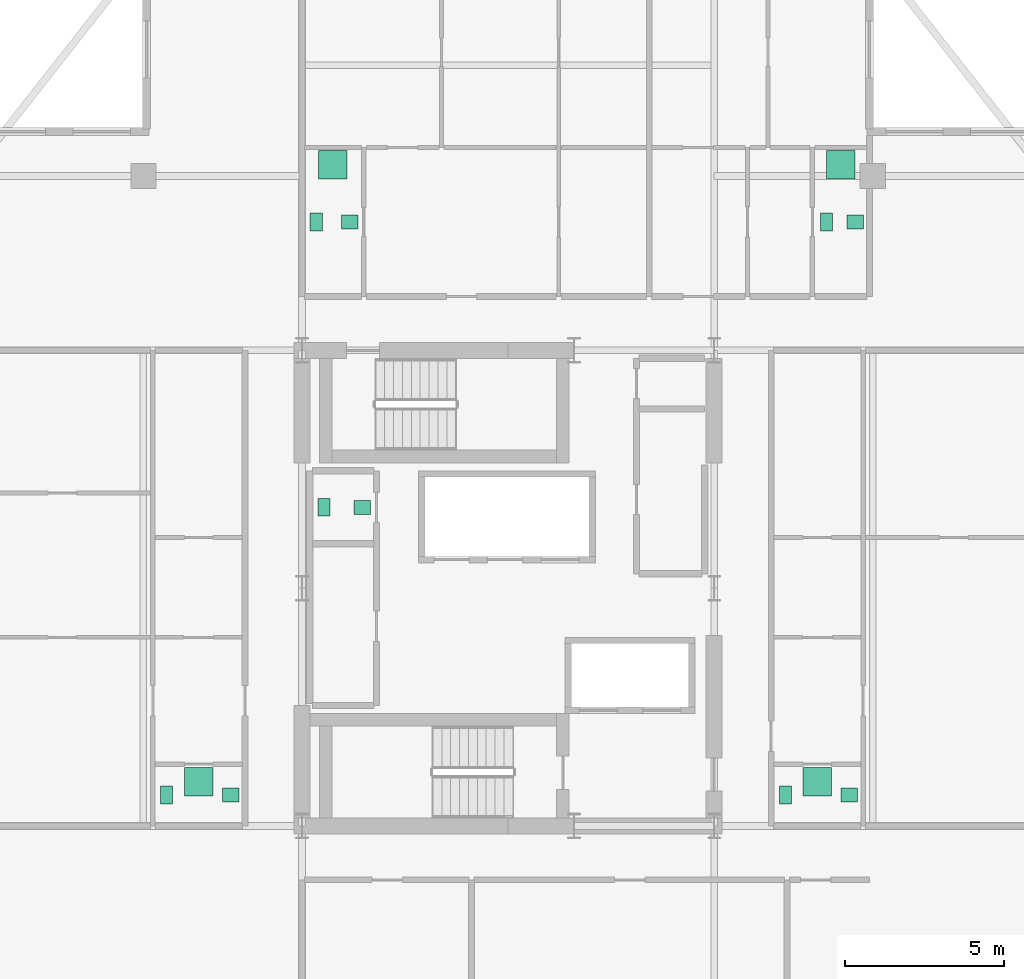
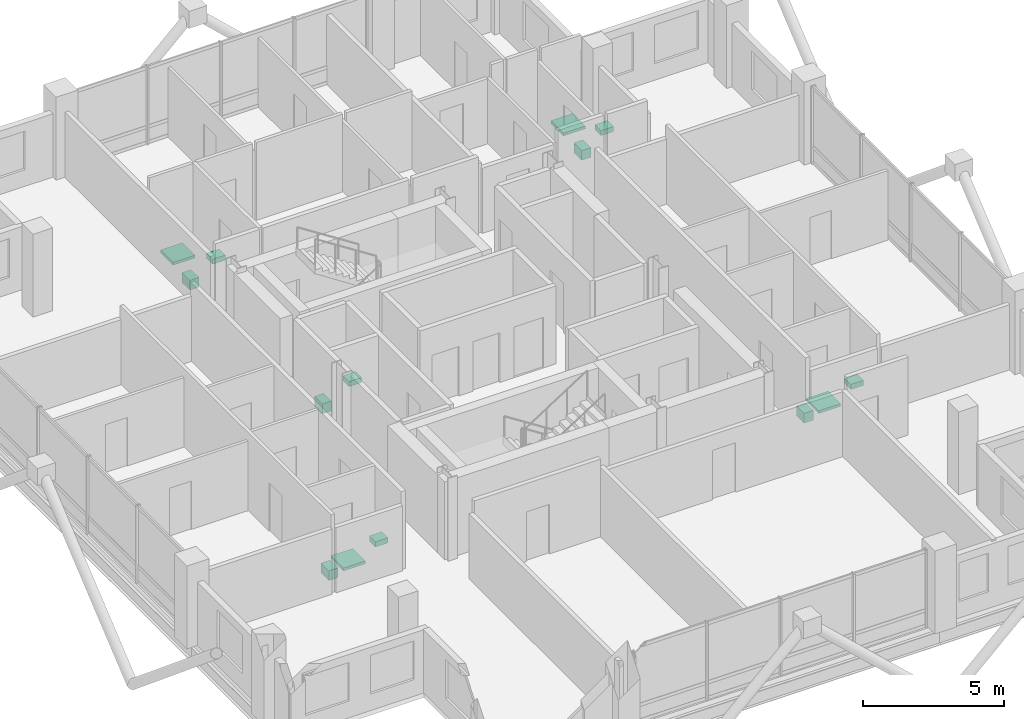
# One storey, part 23 of 23: 14 sanitary terminals.
"""IFC4 building model written with IfcOpenShell, lengths in metres."""

from ifc_helpers import new_model, si_unit, direction, frame, origin, origin_2d, place, context, subcontext, project, spatial, rectangle, extrude, material, type_object, element, save


model = new_model("IFC4")

# Units and contexts
model_context = context("Model", 3, precision=1e-05, world=origin(), true_north=direction((0.0, 1.0)))
body_context = subcontext(model_context, "Body", "Model", "MODEL_VIEW")
ifc_project = project(units=[si_unit("LENGTHUNIT", "METRE"), si_unit("AREAUNIT", "SQUARE_METRE"), si_unit("VOLUMEUNIT", "CUBIC_METRE"), si_unit("PLANEANGLEUNIT", "RADIAN"), si_unit("MASSUNIT", "GRAM", prefix="KILO")], contexts=[model_context])

# Site, building, storey
site_placement = place(None, origin())
site = spatial("IfcSite", under=ifc_project, at=site_placement, CompositionType="ELEMENT")
building_placement = place(site_placement, origin())
building = spatial("IfcBuilding", under=site, at=building_placement, Name="Barlavira Tower and Art Museum", CompositionType="ELEMENT")
storey_placement = place(building_placement, frame((0.0, 0.0, 247.5)))
storey = spatial("IfcBuildingStorey", under=building, at=storey_placement, Name="L64", CompositionType="ELEMENT", Elevation=247.5)

# Sanitary terminals
ifc_material = material(Name="Vitreous glazed ceramic", Category="ceramic")
sanitary_terminal_type_1 = type_object("IfcSanitaryTerminalType", Name="Countertop Ceramic Wash Hand Basin", PredefinedType="WASHHANDBASIN", material=ifc_material)
for number, where, z_axis, x_axis, name in (
    (1, (-4.60009765625, 2.550048828125, 0.740234375), (0.0, 0.0, 1.0), (1.0, 0.0, 0.0), "L64-C-REC1W Wash Basin"),
    (2, (-5.0, 11.550048828125, 0.740234375), (0.0, 0.0, 1.0), (1.0, 0.0, 0.0), "L64-N1-BTH1 Wash Basin"),
    (3, (10.949951171875, 11.550048828125, 0.740234375), (0.0, 0.0, 1.0), (1.0, 0.0, 0.0), "L64-N2-BTH1 Wash Basin"),
    (4, (-8.75, -6.52490234375, 0.740234375), (0.0, 0.0, 1.0), (1.0, 0.0, 0.0), "L64-W1-BTH1 Wash Basin"),
    (5, (10.77001953125, -6.52490234375, 0.740234375), (0.0, 0.0, 1.0), (1.0, 0.0, 0.0), "L64-E1-BTH1 Wash Basin"),
):
    element("IfcSanitaryTerminal", number, at=place(storey_placement, frame(where, z_axis=z_axis, x_axis=x_axis)), inside=storey, type_object=sanitary_terminal_type_1, Name=name, PredefinedType="WASHHANDBASIN", context=body_context, shape_type="SweptSolid", body=[
        extrude(rectangle(XDim=0.52001953125, YDim=0.43994140625, at=origin_2d()), origin(), (0.0, 0.0, 1.0), 0.219970703125),
    ])
sanitary_terminal_type_2 = type_object("IfcSanitaryTerminalType", Name="Walk-In Thermostatic Rain Shower Unit", PredefinedType="SHOWER", material=ifc_material)
for number, where, z_axis, x_axis, name in (
    (6, (-5.52490234375, 13.35009765625, 0.0), (0.0, 0.0, 1.0), (1.0, 0.0, 0.0), "L64-N1-BTH1 Rain Shower"),
    (7, (10.5, 13.35009765625, 0.0), (0.0, 0.0, 1.0), (1.0, 0.0, 0.0), "L64-N2-BTH1 Rain Shower"),
    (8, (-9.760009765625, -6.10009765625, 0.0), (0.0, 0.0, 1.0), (1.0, 0.0, 0.0), "L64-W1-BTH1 Rain Shower"),
    (9, (9.760009765625, -6.10009765625, 0.0), (0.0, 0.0, 1.0), (1.0, 0.0, 0.0), "L64-E1-BTH1 Rain Shower"),
):
    element("IfcSanitaryTerminal", number, at=place(storey_placement, frame(where, z_axis=z_axis, x_axis=x_axis)), inside=storey, type_object=sanitary_terminal_type_2, Name=name, PredefinedType="SHOWER", context=body_context, shape_type="SweptSolid", body=[
        extrude(rectangle(XDim=0.89990234375, YDim=0.89990234375, at=origin_2d()), origin(), (0.0, 0.0, 1.0), 0.1201171875),
    ])
sanitary_terminal_type_3 = type_object("IfcSanitaryTerminalType", Name="Wall-Hung Dual-Flush Vitreous WC Pan", PredefinedType="TOILETPAN", material=ifc_material)
for number, where, z_axis, x_axis, name in (
    (10, (-5.800048828125, 2.550048828125, 0.0), (0.0, 0.0, 1.0), (1.0, 0.0, 0.0), "L64-C-REC1W WC Pan"),
    (11, (-6.050048828125, 11.550048828125, 0.0), (0.0, 0.0, 1.0), (1.0, 0.0, 0.0), "L64-N1-BTH1 WC Pan"),
    (12, (10.050048828125, 11.550048828125, 0.0), (0.0, 0.0, 1.0), (1.0, 0.0, 0.0), "L64-N2-BTH1 WC Pan"),
    (13, (-10.77001953125, -6.52490234375, 0.0), (0.0, 0.0, 1.0), (1.0, 0.0, 0.0), "L64-W1-BTH1 WC Pan"),
    (14, (8.75, -6.52490234375, 0.0), (0.0, 0.0, 1.0), (1.0, 0.0, 0.0), "L64-E1-BTH1 WC Pan"),
):
    element("IfcSanitaryTerminal", number, at=place(storey_placement, frame(where, z_axis=z_axis, x_axis=x_axis)), inside=storey, type_object=sanitary_terminal_type_3, Name=name, PredefinedType="TOILETPAN", context=body_context, shape_type="SweptSolid", body=[
        extrude(rectangle(XDim=0.3798828125, YDim=0.56005859375, at=origin_2d()), origin(), (0.0, 0.0, 1.0), 0.419921875),
    ])

save(model, "model.ifc")
